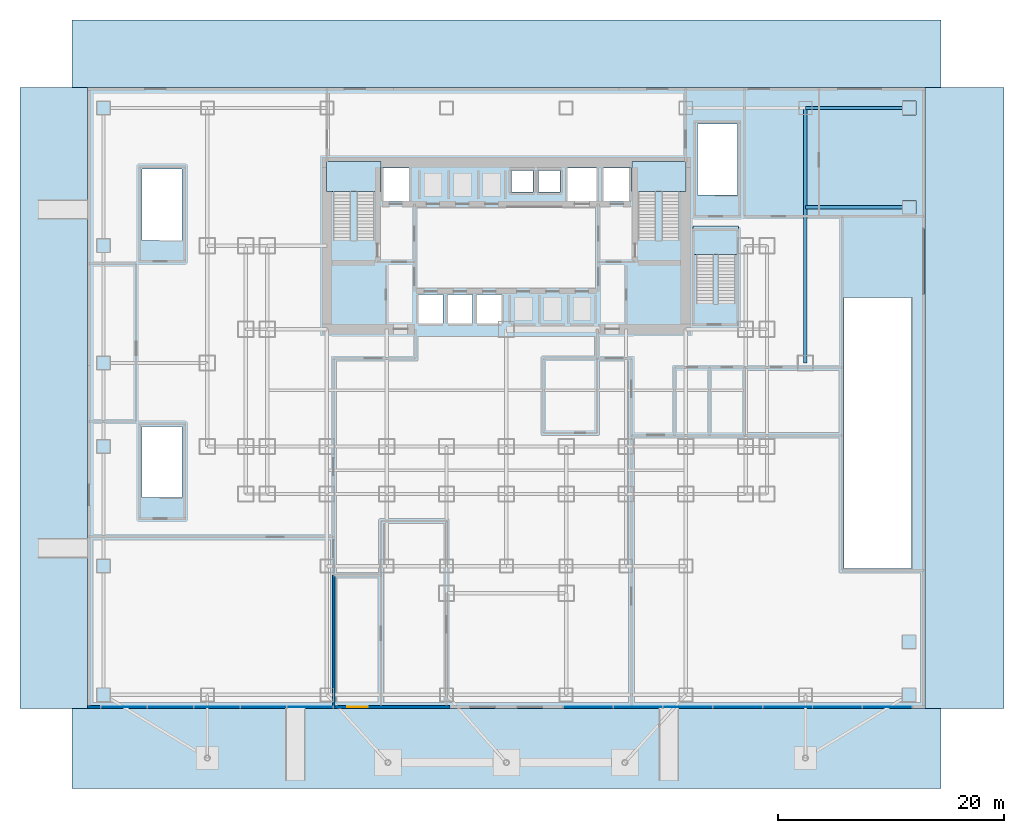
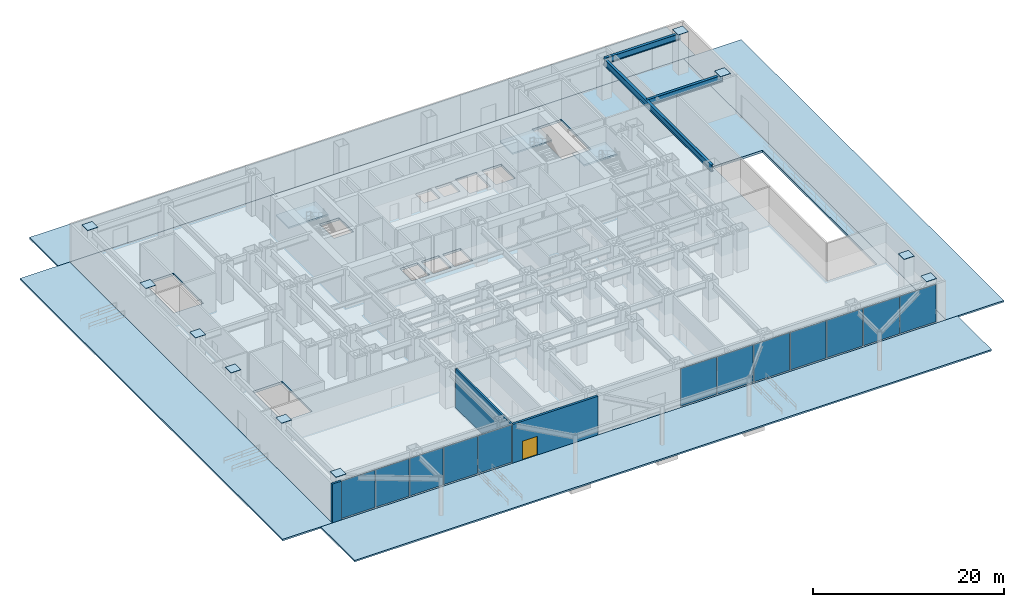
# One storey, part 9 of 18: 22 plates, 8 slabs, 3 beams, 3 walls, 1 door, 1 opening, 5 elements without a shape of their own.
"""IFC4 building model written with IfcOpenShell, lengths in metres."""

import ifcopenshell
import ifcopenshell.guid

model = None  # the IFC model being written
_history = None  # IfcOwnerHistory: only IFC2X3 demands one
_inside = {}  # id of a spatial element -> (the spatial element, [elements in it])
_under = {}  # id of a project, library or spatial element -> (it, [spatial elements below it])
_declared = {}  # id of a project -> (the project, [libraries it declares])
_typed = {}  # id of a type object -> (the type object, [elements of that type])
_made_of = {}  # id of a material, layer set ... -> (it, [elements and type objects made of it])


def new_model(schema):
    """Start an empty IFC model of exactly this schema.

    Asked for "IFC4X3", IfcOpenShell would pick the latest addendum, in which some entities
    have other attributes; the version numbers below select the first issue.
    IFC2X3 requires an IfcOwnerHistory on every rooted entity: one is made here for all.
    """
    global model, _history
    if schema == "IFC4X3":
        model = ifcopenshell.file(schema_version=(4, 3, 0, 0))
    else:
        model = ifcopenshell.file(schema=schema)
    _inside.clear()
    _under.clear()
    _declared.clear()
    _typed.clear()
    _made_of.clear()
    _history = None
    if model.schema == "IFC2X3":
        org = make("IfcOrganization", Name="unknown")
        user = make(
            "IfcPersonAndOrganization",
            ThePerson=make("IfcPerson", FamilyName="unknown"),
            TheOrganization=org,
        )
        app = make(
            "IfcApplication",
            ApplicationDeveloper=org,
            Version="unknown",
            ApplicationFullName="unknown",
            ApplicationIdentifier="unknown",
        )
        _history = make(
            "IfcOwnerHistory",
            OwningUser=user,
            OwningApplication=app,
            ChangeAction="ADDED",
            CreationDate=0,
        )
    return model


def make(cls, **values):
    """One entity of the class cls with the attributes given. An attribute that is None is left unset."""
    return model.create_entity(
        cls, **{name: value for name, value in values.items() if value is not None}
    )


def rooted(cls, **values):
    """An entity with a GlobalId (a new one), such as an element, a storey or a relation."""
    return make(cls, GlobalId=ifcopenshell.guid.new(), OwnerHistory=_history, **values)


def si_unit(unit_type, name, prefix=None):
    """IfcSIUnit, for example si_unit("LENGTHUNIT", "METRE", prefix="MILLI")."""
    return make("IfcSIUnit", UnitType=unit_type, Prefix=prefix, Name=name)


def assignment(units):
    """IfcUnitAssignment: the units of a project."""
    return None if units is None else make("IfcUnitAssignment", Units=units)


def point(xyz):
    """IfcCartesianPoint."""
    return None if xyz is None else make("IfcCartesianPoint", Coordinates=xyz)


def direction(xyz):
    """IfcDirection."""
    return None if xyz is None else make("IfcDirection", DirectionRatios=xyz)


def frame(location, z_axis=None, x_axis=None):
    """IfcAxis2Placement3D, a coordinate frame: its origin and axes. An axis left out is left unset."""
    return make(
        "IfcAxis2Placement3D",
        Location=point(location),
        Axis=direction(z_axis),
        RefDirection=direction(x_axis),
    )


def frame_2d(location, x_axis=None):
    """IfcAxis2Placement2D, a coordinate frame in the plane: its origin and x axis."""
    return make(
        "IfcAxis2Placement2D", Location=point(location), RefDirection=direction(x_axis)
    )


def origin():
    """The frame at (0, 0, 0) with its axes left unset."""
    return frame((0.0, 0.0, 0.0))


def origin_2d():
    """The frame at (0, 0) in the plane with its x axis left unset."""
    return frame_2d((0.0, 0.0))


def place(relative_to, where):
    """IfcLocalPlacement: puts the frame where relative to a parent placement (None: the world)."""
    return make(
        "IfcLocalPlacement", PlacementRelTo=relative_to, RelativePlacement=where
    )


def context(
    kind, dimensions, precision=None, world=None, true_north=None, identifier=None
):
    """IfcGeometricRepresentationContext, for example the 3D "Model" context."""
    return make(
        "IfcGeometricRepresentationContext",
        ContextIdentifier=identifier,
        ContextType=kind,
        CoordinateSpaceDimension=dimensions,
        Precision=precision,
        WorldCoordinateSystem=world,
        TrueNorth=true_north,
    )


def subcontext(parent, identifier, kind, view, scale=None):
    """IfcGeometricRepresentationSubContext, for example "Body" below "Model"."""
    return make(
        "IfcGeometricRepresentationSubContext",
        ContextIdentifier=identifier,
        ContextType=kind,
        ParentContext=parent,
        TargetScale=scale,
        TargetView=view,
    )


def project(units=None, contexts=None):
    """IfcProject with its units and contexts."""
    return rooted(
        "IfcProject",
        Name="project",
        RepresentationContexts=contexts,
        UnitsInContext=assignment(units),
    )


def spatial(cls, under=None, at=None, **own):
    """A site, building, storey or space (cls), placed at a placement, below another one or the project."""
    s = rooted(cls, ObjectPlacement=at, **own)
    if under is not None:
        _under.setdefault(under.id(), (under, []))[1].append(s)
    return s


def polyline(points):
    """IfcPolyline through the points."""
    return make("IfcPolyline", Points=[point(p) for p in points])


def profile(cls, at=None, kind="AREA", **sizes):
    """A parametric profile (cls). Its sizes go by their IFC names, for example OverallWidth=200.0."""
    return make(cls, ProfileType=kind, Position=at, **sizes)


def rectangle(**sizes):
    """IfcRectangleProfileDef."""
    return profile("IfcRectangleProfileDef", **sizes)


def i_section(**sizes):
    """IfcIShapeProfileDef."""
    return profile("IfcIShapeProfileDef", **sizes)


def outline(outer, holes=None, kind="AREA"):
    """IfcArbitraryClosedProfileDef: a profile drawn as a closed curve; with holes, ...WithVoids."""
    if holes is None:
        return make("IfcArbitraryClosedProfileDef", ProfileType=kind, OuterCurve=outer)
    return make(
        "IfcArbitraryProfileDefWithVoids",
        ProfileType=kind,
        OuterCurve=outer,
        InnerCurves=holes,
    )


def extrude(swept, where, along, depth):
    """IfcExtrudedAreaSolid: the profile swept, set in the frame where, extruded along a direction by depth."""
    return make(
        "IfcExtrudedAreaSolid",
        SweptArea=swept,
        Position=where,
        ExtrudedDirection=direction(along),
        Depth=depth,
    )


def shape(context_of_items, identifier, shape_type, items):
    """IfcShapeRepresentation: the items that make up one representation, for example the "Body"."""
    return make(
        "IfcShapeRepresentation",
        ContextOfItems=context_of_items,
        RepresentationIdentifier=identifier,
        RepresentationType=shape_type,
        Items=items,
    )


def source(mapping_origin, context_of_items, identifier, shape_type, items):
    """IfcRepresentationMap: a shape defined once, which mapped items show again and again."""
    return make(
        "IfcRepresentationMap",
        MappingOrigin=mapping_origin,
        MappedRepresentation=shape(context_of_items, identifier, shape_type, items),
    )


def transform(
    local_origin,
    x_axis=None,
    y_axis=None,
    z_axis=None,
    scale=None,
    scale2=None,
    scale3=None,
    uniform=True,
):
    """IfcCartesianTransformationOperator3D, or its non-uniform kind. x_axis, y_axis, z_axis: its Axis1, 2, 3."""
    if uniform:
        return make(
            "IfcCartesianTransformationOperator3D",
            Axis1=direction(x_axis),
            Axis2=direction(y_axis),
            LocalOrigin=point(local_origin),
            Scale=scale,
            Axis3=direction(z_axis),
        )
    return make(
        "IfcCartesianTransformationOperator3DnonUniform",
        Axis1=direction(x_axis),
        Axis2=direction(y_axis),
        LocalOrigin=point(local_origin),
        Scale=scale,
        Axis3=direction(z_axis),
        Scale2=scale2,
        Scale3=scale3,
    )


def mapped(mapping_source, mapping_target):
    """IfcMappedItem: shows the shape of a source again, moved by a transform."""
    return make(
        "IfcMappedItem", MappingSource=mapping_source, MappingTarget=mapping_target
    )


def material(Name=None, Category=None):
    """IfcMaterial."""
    return make("IfcMaterial", Name=Name, Category=Category)


def layer(
    of_material, thickness, ventilated=None, Name=None, Category=None, Priority=None
):
    """IfcMaterialLayer: one layer of a wall or slab, of a material (None: an air gap)."""
    return make(
        "IfcMaterialLayer",
        Material=of_material,
        LayerThickness=thickness,
        IsVentilated=ventilated,
        Name=Name,
        Category=Category,
        Priority=Priority,
    )


def layer_set(layers, Name=None):
    """IfcMaterialLayerSet."""
    return make("IfcMaterialLayerSet", MaterialLayers=layers, LayerSetName=Name)


def material_profile(
    of_material, cross_section, Name=None, Category=None, Priority=None
):
    """IfcMaterialProfile: a cross section and its material."""
    return make(
        "IfcMaterialProfile",
        Name=Name,
        Material=of_material,
        Profile=cross_section,
        Priority=Priority,
        Category=Category,
    )


def profile_set(profiles, Name=None, composite=None):
    """IfcMaterialProfileSet."""
    return make(
        "IfcMaterialProfileSet",
        Name=Name,
        MaterialProfiles=profiles,
        CompositeProfile=composite,
    )


def made_of(thing, what):
    """Note that an element or type object is made of a material, layer set ...; save() writes the relation."""
    if what is not None:
        _made_of.setdefault(what.id(), (what, []))[1].append(thing)
    return thing


def type_object(cls, material=None, **own):
    """A type object (cls), such as IfcWallType, which elements share."""
    return made_of(rooted(cls, **own), material)


def element(
    cls,
    number,
    at=None,
    inside=None,
    cuts=None,
    type_object=None,
    material=None,
    context=None,
    identifier="Body",
    shape_type=None,
    held_by="IfcProductDefinitionShape",
    body=None,
    shapes=None,
    **own,
):
    """One element of the class cls, such as IfcWall. Its Tag is "e" and its number.

    at: its placement. inside: the storey or other place that contains it. cuts: it is an
    opening in that element (IfcRelVoidsElement). A single representation is given by context,
    identifier, shape_type and body (its items); several are given by shapes. held_by: the class
    of the entity that holds the representations. save() writes the other relations.
    """
    e = rooted(cls, Tag="e%d" % number, ObjectPlacement=at, **own)
    if body is not None:
        shapes = [shape(context, identifier, shape_type, body)]
    if shapes is not None:
        e.Representation = make(held_by, Representations=shapes)
    if inside is not None:
        _inside.setdefault(inside.id(), (inside, []))[1].append(e)
    if cuts is not None:
        rooted(
            "IfcRelVoidsElement", RelatingBuildingElement=cuts, RelatedOpeningElement=e
        )
    if type_object is not None:
        _typed.setdefault(type_object.id(), (type_object, []))[1].append(e)
    return made_of(e, material)


def fill(opening, filler):
    """IfcRelFillsElement: the door or window that sits in an opening."""
    return rooted(
        "IfcRelFillsElement",
        RelatingOpeningElement=opening,
        RelatedBuildingElement=filler,
    )


def aggregate(whole, parts):
    """IfcRelAggregates: a whole, such as a stair, and the parts it consists of."""
    return rooted("IfcRelAggregates", RelatingObject=whole, RelatedObjects=parts)


def save(model, path):
    """Write the relations noted so far, then the file.

    IfcRelAggregates (storeys below a building ...), IfcRelContainedInSpatialStructure (elements
    in a storey), IfcRelDefinesByType, IfcRelAssociatesMaterial and IfcRelDeclares: one each for
    every whole, place, type object, material and project.
    """
    for whole, parts in _under.values():
        aggregate(whole, parts)
    for where, things in _inside.values():
        rooted(
            "IfcRelContainedInSpatialStructure",
            RelatedElements=things,
            RelatingStructure=where,
        )
    for kind, things in _typed.values():
        rooted("IfcRelDefinesByType", RelatedObjects=things, RelatingType=kind)
    for what, things in _made_of.values():
        rooted("IfcRelAssociatesMaterial", RelatedObjects=things, RelatingMaterial=what)
    for by, libraries in _declared.values():
        rooted("IfcRelDeclares", RelatingContext=by, RelatedDefinitions=libraries)
    model.write(path)


model = new_model("IFC4")

# Units and contexts
model_context = context("Model", 3, precision=1e-05, world=origin(), true_north=direction((0.0, 1.0)))
body_context = subcontext(model_context, "Body", "Model", "MODEL_VIEW")
ifc_project = project(units=[si_unit("LENGTHUNIT", "METRE"), si_unit("AREAUNIT", "SQUARE_METRE"), si_unit("VOLUMEUNIT", "CUBIC_METRE"), si_unit("PLANEANGLEUNIT", "RADIAN"), si_unit("MASSUNIT", "GRAM", prefix="KILO")], contexts=[model_context])

# Site, building, storey
site_placement = place(None, origin())
site = spatial("IfcSite", under=ifc_project, at=site_placement, CompositionType="ELEMENT")
building_placement = place(site_placement, origin())
building = spatial("IfcBuilding", under=site, at=building_placement, Name="Qianlan Lanfeng Residences", CompositionType="ELEMENT")
storey_placement = place(building_placement, origin())
storey = spatial("IfcBuildingStorey", under=building, at=storey_placement, Name="L00", CompositionType="ELEMENT", Elevation=0.0)

# Beams
ifc_material_1 = material(Name="Steel SN490B", Category="steel")
ifc_material_profile_1 = material_profile(ifc_material_1, i_section(OverallWidth=0.300048828125, OverallDepth=0.85009765625, WebThickness=0.01611328125, FlangeThickness=0.031982421875, at=origin_2d()), Name="H 850x300x16x32")
ifc_profile_set_1 = profile_set([ifc_material_profile_1], Name="Steel SN490B")
beam_type_1 = type_object("IfcBeamType", Name="G-1100", PredefinedType="BEAM", material=ifc_profile_set_1)
beam_1_placement = place(storey_placement, frame((53.0, 36.0, 4.52490234375), z_axis=(1.0, 0.0, 0.0), x_axis=(0.0, 1.0, 0.0)))
element("IfcBeam", 1, at=beam_1_placement, inside=storey, type_object=beam_type_1, Name="Structural beam G-1100", PredefinedType="BEAM", context=body_context, shape_type="SweptSolid", body=[
    extrude(i_section(OverallWidth=0.300048828125, OverallDepth=0.85009765625, WebThickness=0.01611328125, FlangeThickness=0.031982421875, at=origin_2d()), origin(), (0.0, 0.0, 1.0), 9.199951171875),
])
beam_2_placement = place(storey_placement, frame((53.0, 22.199951171875, 4.52490234375), z_axis=(0.0, 1.0, 0.0), x_axis=(-1.0, 0.0, 0.0)))
element("IfcBeam", 2, at=beam_2_placement, inside=storey, type_object=beam_type_1, Name="Structural beam G-1100", PredefinedType="BEAM", context=body_context, shape_type="SweptSolid", body=[
    extrude(i_section(OverallWidth=0.300048828125, OverallDepth=0.85009765625, WebThickness=0.01611328125, FlangeThickness=0.031982421875, at=origin_2d()), origin(), (0.0, 0.0, 1.0), 22.60009765625),
])
ifc_material_profile_2 = material_profile(ifc_material_1, i_section(OverallWidth=0.300048828125, OverallDepth=0.800048828125, WebThickness=0.01611328125, FlangeThickness=0.028076171875, at=origin_2d()), Name="H 800x300x16x28")
ifc_profile_set_2 = profile_set([ifc_material_profile_2], Name="Steel SN490B")
beam_type_2 = type_object("IfcBeamType", Name="SG-950", PredefinedType="SPANDREL", material=ifc_profile_set_2)
beam_3_placement = place(storey_placement, frame((53.0, 44.800048828125, 4.550048828125), z_axis=(1.0, 0.0, 0.0), x_axis=(0.0, 1.0, 0.0)))
element("IfcBeam", 3, at=beam_3_placement, inside=storey, type_object=beam_type_2, Name="Structural beam SG-950", PredefinedType="SPANDREL", context=body_context, shape_type="SweptSolid", body=[
    extrude(i_section(OverallWidth=0.300048828125, OverallDepth=0.800048828125, WebThickness=0.01611328125, FlangeThickness=0.028076171875, at=origin_2d()), origin(), (0.0, 0.0, 1.0), 9.199951171875),
])

# Slab
ifc_material_2 = material(Name="Concrete C49", Category="concrete")
ifc_layer_1 = layer(ifc_material_2, 0.300048828125)
ifc_layer_set_1 = layer_set([ifc_layer_1], Name="Concrete C49")
slab_type_1 = type_object("IfcSlabType", Name="S-FL-300", PredefinedType="FLOOR", material=ifc_layer_set_1)
slab_1_placement = place(storey_placement, frame((0.0, 0.0, -0.300048828125)))
element("IfcSlab", 4, at=slab_1_placement, inside=storey, type_object=slab_type_1, Name="L00 Structural Floor Slab", PredefinedType="FLOOR", context=body_context, shape_type="SweptSolid", body=[
    extrude(outline(polyline([(-10.60009765625, -8.39990234375), (63.60009765625, -8.39990234375), (63.60009765625, 46.60009765625), (-10.60009765625, 46.60009765625), (-10.60009765625, -8.39990234375)]), holes=[polyline([(-5.77001953125, 33.080078125), (-5.77001953125, 39.3798828125), (-2.22998046875, 39.3798828125), (-2.22998046875, 33.080078125), (-5.77001953125, 33.080078125)]), polyline([(43.429931640625, 37.080078125), (43.429931640625, 43.3798828125), (46.969970703125, 43.3798828125), (46.969970703125, 37.080078125), (43.429931640625, 37.080078125)]), polyline([(-5.77001953125, 10.280029296875), (-5.77001953125, 16.580078125), (-2.22998046875, 16.580078125), (-2.22998046875, 10.280029296875), (-5.77001953125, 10.280029296875)]), polyline([(15.52001953125, 36.52001953125), (15.52001953125, 39.47998046875), (17.8798828125, 39.47998046875), (17.8798828125, 36.52001953125), (15.52001953125, 36.52001953125)]), polyline([(35.1201171875, 36.52001953125), (35.1201171875, 39.47998046875), (37.47998046875, 39.47998046875), (37.47998046875, 36.52001953125), (35.1201171875, 36.52001953125)]), polyline([(31.919921875, 36.52001953125), (31.919921875, 39.47998046875), (34.47998046875, 39.47998046875), (34.47998046875, 36.52001953125), (31.919921875, 36.52001953125)]), polyline([(18.719970703125, 25.719970703125), (18.719970703125, 28.280029296875), (20.8798828125, 28.280029296875), (20.8798828125, 25.719970703125), (18.719970703125, 25.719970703125)]), polyline([(21.320068359375, 25.719970703125), (21.320068359375, 28.280029296875), (23.47998046875, 28.280029296875), (23.47998046875, 25.719970703125), (21.320068359375, 25.719970703125)]), polyline([(23.919921875, 25.719970703125), (23.919921875, 28.280029296875), (26.080078125, 28.280029296875), (26.080078125, 25.719970703125), (23.919921875, 25.719970703125)]), polyline([(26.949951171875, 37.35009765625), (26.949951171875, 39.25), (28.85009765625, 39.25), (28.85009765625, 37.35009765625), (26.949951171875, 37.35009765625)]), polyline([(29.35009765625, 37.35009765625), (29.35009765625, 39.25), (31.25, 39.25), (31.25, 37.35009765625), (29.35009765625, 37.35009765625)]), polyline([(56.39990234375, 4.0), (56.39990234375, 28.0), (62.39990234375, 28.0), (62.39990234375, 4.0), (56.39990234375, 4.0)])]), origin(), (0.0, 0.0, 1.0), 0.300048828125),
])

# Stair, slab
ifc_material_3 = material(Name="Concrete C42", Category="concrete")
stair_type_1 = type_object("IfcStairType", Name="STR-MAIN", PredefinedType="HALF_TURN_STAIR", material=ifc_material_3)
stair_1_placement = place(storey_placement, origin())
stair_1 = element("IfcStair", 5, at=stair_1_placement, inside=storey, type_object=stair_type_1, Name="L00 Exit Stair ST-1", PredefinedType="HALF_TURN_STAIR")
ifc_layer_2 = layer(ifc_material_3, 0.179931640625)
ifc_layer_set_2 = layer_set([ifc_layer_2], Name="Concrete C42")
slab_type_2 = type_object("IfcSlabType", Name="S-LND-180", PredefinedType="LANDING", material=ifc_layer_set_2)
slab_2_placement = place(storey_placement, frame((0.0, 0.0, 2.39990234375)))
slab_2 = element("IfcSlab", 6, at=slab_2_placement, type_object=slab_type_2, Name="ST-1 landing 1", PredefinedType="LANDING", context=body_context, shape_type="SweptSolid", body=[
    extrude(outline(polyline([(10.580078125, 37.39990234375), (15.3798828125, 37.39990234375), (15.3798828125, 40.050048828125), (10.580078125, 40.050048828125), (10.580078125, 37.39990234375)])), origin(), (0.0, 0.0, 1.0), 0.2001953125),
])
aggregate(stair_1, [slab_2])

stair_2_placement = place(storey_placement, origin())
stair_2 = element("IfcStair", 7, at=stair_2_placement, inside=storey, type_object=stair_type_1, Name="L00 Exit Stair ST-2", PredefinedType="HALF_TURN_STAIR")
slab_3_placement = place(storey_placement, frame((0.0, 0.0, 2.39990234375)))
slab_3 = element("IfcSlab", 8, at=slab_3_placement, type_object=slab_type_2, Name="ST-2 landing 1", PredefinedType="LANDING", context=body_context, shape_type="SweptSolid", body=[
    extrude(outline(polyline([(37.6201171875, 37.39990234375), (42.419921875, 37.39990234375), (42.419921875, 40.050048828125), (37.6201171875, 40.050048828125), (37.6201171875, 37.39990234375)])), origin(), (0.0, 0.0, 1.0), 0.2001953125),
])
aggregate(stair_2, [slab_3])

stair_type_2 = type_object("IfcStairType", Name="STR-POD", PredefinedType="HALF_TURN_STAIR", material=ifc_material_3)
stair_3_placement = place(storey_placement, origin())
stair_3 = element("IfcStair", 9, at=stair_3_placement, inside=storey, type_object=stair_type_2, Name="L00 Exit Stair ST-P1", PredefinedType="HALF_TURN_STAIR")
slab_4_placement = place(storey_placement, frame((0.0, 0.0, 2.39990234375)))
slab_4 = element("IfcSlab", 10, at=slab_4_placement, type_object=slab_type_2, Name="ST-P1 landing 1", PredefinedType="LANDING", context=body_context, shape_type="SweptSolid", body=[
    extrude(outline(polyline([(43.06005859375, 31.800048828125), (47.06005859375, 31.800048828125), (47.06005859375, 34.330078125), (43.06005859375, 34.330078125), (43.06005859375, 31.800048828125)])), origin(), (0.0, 0.0, 1.0), 0.2001953125),
])
aggregate(stair_3, [slab_4])

# Slabs
ifc_layer_3 = layer(ifc_material_3, 0.199951171875)
ifc_layer_set_3 = layer_set([ifc_layer_3], Name="Concrete C42")
slab_type_3 = type_object("IfcSlabType", Name="S-PAV-200", PredefinedType="BASESLAB", material=ifc_layer_set_3)
slab_5_placement = place(storey_placement, frame((0.0, 0.0, -0.199951171875)))
element("IfcSlab", 11, at=slab_5_placement, inside=storey, type_object=slab_type_3, Name="South Harbour Entrance Plaza Paving", PredefinedType="BASESLAB", context=body_context, shape_type="SweptSolid", body=[
    extrude(outline(polyline([(-12.0, -15.5), (65.0, -15.5), (65.0, -8.39990234375), (-12.0, -8.39990234375), (-12.0, -15.5)])), origin(), (0.0, 0.0, 1.0), 0.199951171875),
])
slab_6_placement = place(storey_placement, frame((0.0, 0.0, -0.199951171875)))
element("IfcSlab", 12, at=slab_6_placement, inside=storey, type_object=slab_type_3, Name="North Service and Exit Apron Paving", PredefinedType="BASESLAB", context=body_context, shape_type="SweptSolid", body=[
    extrude(outline(polyline([(-12.0, 46.60009765625), (65.0, 46.60009765625), (65.0, 52.60009765625), (-12.0, 52.60009765625), (-12.0, 46.60009765625)])), origin(), (0.0, 0.0, 1.0), 0.199951171875),
])
slab_7_placement = place(storey_placement, frame((0.0, 0.0, -0.199951171875)))
element("IfcSlab", 13, at=slab_7_placement, inside=storey, type_object=slab_type_3, Name="East Car Park Ramp Driveway Apron Paving", PredefinedType="BASESLAB", context=body_context, shape_type="SweptSolid", body=[
    extrude(outline(polyline([(63.60009765625, -8.39990234375), (70.60009765625, -8.39990234375), (70.60009765625, 46.60009765625), (63.60009765625, 46.60009765625), (63.60009765625, -8.39990234375)])), origin(), (0.0, 0.0, 1.0), 0.199951171875),
])
slab_8_placement = place(storey_placement, frame((0.0, 0.0, -0.199951171875)))
element("IfcSlab", 14, at=slab_8_placement, inside=storey, type_object=slab_type_3, Name="West Pedestrian Promenade Paving", PredefinedType="BASESLAB", context=body_context, shape_type="SweptSolid", body=[
    extrude(outline(polyline([(-16.60009765625, -8.39990234375), (-10.60009765625, -8.39990234375), (-10.60009765625, 46.60009765625), (-16.60009765625, 46.60009765625), (-16.60009765625, -8.39990234375)])), origin(), (0.0, 0.0, 1.0), 0.199951171875),
])

# Plates
ifc_material_4 = material(Name="Steel SM570 (420 MPa)", Category="steel")
ifc_layer_4 = layer(ifc_material_4, 0.0400390625)
ifc_layer_set_4 = layer_set([ifc_layer_4], Name="Steel SM570 (420 MPa)")
plate_type_1 = type_object("IfcPlateType", Name="PL-CAP-40", PredefinedType="USERDEFINED", material=ifc_layer_set_4)
shared_shape_1 = source(origin(), body_context, "Body", "SweptSolid", [
    extrude(rectangle(XDim=1.219970703125, YDim=1.219970703125, at=origin_2d()), origin(), (0.0, 0.0, 1.0), 0.0400390625),
])
for number, where, z_axis, x_axis, name in (
    (15, (-9.199951171875, -7.199951171875, 5.159912109375), (0.0, 0.0, 1.0), (1.0, 0.0, 0.0), "L00 Box Column Top Closure Cap Plate P_-9.2_-7.2"),
    (16, (62.199951171875, -7.199951171875, 5.159912109375), (0.0, 0.0, 1.0), (1.0, 0.0, 0.0), "L00 Box Column Top Closure Cap Plate P_+62.2_-7.2"),
    (17, (-9.199951171875, 4.199951171875, 5.159912109375), (0.0, 0.0, 1.0), (1.0, 0.0, 0.0), "L00 Box Column Top Closure Cap Plate P_-9.2_+4.2"),
    (18, (-9.199951171875, 14.800048828125, 5.159912109375), (0.0, 0.0, 1.0), (1.0, 0.0, 0.0), "L00 Box Column Top Closure Cap Plate P_-9.2_+14.8"),
    (19, (-9.199951171875, 22.199951171875, 5.159912109375), (0.0, 0.0, 1.0), (1.0, 0.0, 0.0), "L00 Box Column Top Closure Cap Plate P_-9.2_+22.2"),
    (20, (-9.199951171875, 32.60009765625, 5.159912109375), (0.0, 0.0, 1.0), (1.0, 0.0, 0.0), "L00 Box Column Top Closure Cap Plate P_-9.2_+32.6"),
    (21, (-9.199951171875, 44.800048828125, 5.159912109375), (0.0, 0.0, 1.0), (1.0, 0.0, 0.0), "L00 Box Column Top Closure Cap Plate P_-9.2_+44.8"),
    (22, (62.199951171875, 44.800048828125, 5.159912109375), (0.0, 0.0, 1.0), (1.0, 0.0, 0.0), "L00 Box Column Top Closure Cap Plate P_+62.2_+44.8"),
    (23, (62.199951171875, -2.5, 5.159912109375), (0.0, 0.0, 1.0), (1.0, 0.0, 0.0), "L00 Box Column Top Closure Cap Plate P_+62.2_-2.5"),
    (24, (62.199951171875, 36.0, 5.159912109375), (0.0, 0.0, 1.0), (1.0, 0.0, 0.0), "L00 Box Column Top Closure Cap Plate P_+62.2_+36.0"),
):
    element("IfcPlate", number, at=place(storey_placement, frame(where, z_axis=z_axis, x_axis=x_axis)), inside=storey, type_object=plate_type_1, Name=name, ObjectType="SPLICE_PLATE", PredefinedType="USERDEFINED", context=body_context, shape_type="MappedRepresentation", body=[
        mapped(shared_shape_1, transform((0.0, 0.0, 0.0), scale=1.0)),
    ])

# Curtain wall, plates
ifc_material_5 = material(Name="Anodised Bronze Aluminium 6063-T6", Category="aluminium")
ifc_layer_5 = layer(ifc_material_5, 0.219970703125)
ifc_layer_set_5 = layer_set([ifc_layer_5], Name="Anodised Bronze Aluminium 6063-T6")
curtain_wall_type = type_object("IfcCurtainWallType", Name="CW-01", PredefinedType="NOTDEFINED", material=ifc_layer_set_5)
curtain_wall_1_placement = place(storey_placement, origin())
curtain_wall_1 = element("IfcCurtainWall", 25, at=curtain_wall_1_placement, inside=storey, type_object=curtain_wall_type, Name="L00 Unitised Curtain Wall CWR-L00-SW (CW-01)", PredefinedType="NOTDEFINED")
ifc_material_6 = material(Name="Clear Low-E Insulated Glass", Category="glass")
ifc_layer_6 = layer(ifc_material_6, 0.035888671875)
ifc_layer_set_6 = layer_set([ifc_layer_6], Name="Clear Low-E Insulated Glass")
plate_type_2 = type_object("IfcPlateType", Name="PNL-GLZ-CLR", PredefinedType="CURTAIN_PANEL", material=ifc_layer_set_6)
shared_shape_2 = source(origin(), body_context, "Body", "SweptSolid", [
    extrude(rectangle(XDim=4.0458984375, YDim=0.035888671875, at=origin_2d()), origin(), (0.0, 0.0, 1.0), 4.7919921875),
])
plate_1_placement = place(storey_placement, frame((-7.39794921875, -8.27001953125, 0.0791015625), z_axis=(0.0, 0.0, 1.0), x_axis=(1.0, 0.0, 0.0)))
plate_1 = element("IfcPlate", 26, at=plate_1_placement, type_object=plate_type_2, Name="CWR-L00-SW Curtain Panel 1", PredefinedType="CURTAIN_PANEL", context=body_context, shape_type="MappedRepresentation", body=[
    mapped(shared_shape_2, transform((0.0, 0.0, 0.0), scale=1.0)),
])
plate_2_placement = place(storey_placement, frame((-3.27392578125, -8.27001953125, 0.0791015625), z_axis=(0.0, 0.0, 1.0), x_axis=(1.0, 0.0, 0.0)))
plate_2 = element("IfcPlate", 27, at=plate_2_placement, type_object=plate_type_2, Name="CWR-L00-SW Curtain Panel 2", PredefinedType="CURTAIN_PANEL", context=body_context, shape_type="MappedRepresentation", body=[
    mapped(shared_shape_2, transform((0.0, 0.0, 0.0), scale=1.0)),
])
plate_3_placement = place(storey_placement, frame((0.85009765625, -8.27001953125, 0.0791015625), z_axis=(0.0, 0.0, 1.0), x_axis=(1.0, 0.0, 0.0)))
plate_3 = element("IfcPlate", 28, at=plate_3_placement, type_object=plate_type_2, Name="CWR-L00-SW Curtain Panel 3", PredefinedType="CURTAIN_PANEL", context=body_context, shape_type="MappedRepresentation", body=[
    mapped(shared_shape_2, transform((0.0, 0.0, 0.0), scale=1.0)),
])
plate_4_placement = place(storey_placement, frame((4.97412109375, -8.27001953125, 0.0791015625), z_axis=(0.0, 0.0, 1.0), x_axis=(1.0, 0.0, 0.0)))
plate_4 = element("IfcPlate", 29, at=plate_4_placement, type_object=plate_type_2, Name="CWR-L00-SW Curtain Panel 4", PredefinedType="CURTAIN_PANEL", context=body_context, shape_type="MappedRepresentation", body=[
    mapped(shared_shape_2, transform((0.0, 0.0, 0.0), scale=1.0)),
])
plate_5_placement = place(storey_placement, frame((9.097900390625, -8.27001953125, 0.0791015625), z_axis=(0.0, 0.0, 1.0), x_axis=(1.0, 0.0, 0.0)))
plate_5 = element("IfcPlate", 30, at=plate_5_placement, type_object=plate_type_2, Name="CWR-L00-SW Curtain Panel 5", PredefinedType="CURTAIN_PANEL", context=body_context, shape_type="MappedRepresentation", body=[
    mapped(shared_shape_2, transform((0.0, 0.0, 0.0), scale=1.0)),
])
aggregate(curtain_wall_1, [plate_1, plate_2, plate_3, plate_4, plate_5])

curtain_wall_2_placement = place(storey_placement, origin())
curtain_wall_2 = element("IfcCurtainWall", 31, at=curtain_wall_2_placement, inside=storey, type_object=curtain_wall_type, Name="L00 Unitised Curtain Wall CWR-L00-SE (CW-01)", PredefinedType="NOTDEFINED")
shared_shape_3 = source(origin(), body_context, "Body", "SweptSolid", [
    extrude(rectangle(XDim=4.339111328125, YDim=0.035888671875, at=origin_2d()), origin(), (0.0, 0.0, 1.0), 4.7919921875),
])
plate_6_placement = place(storey_placement, frame((33.74853515625, -8.27001953125, 0.0791015625), z_axis=(0.0, 0.0, 1.0), x_axis=(1.0, 0.0, 0.0)))
plate_6 = element("IfcPlate", 32, at=plate_6_placement, type_object=plate_type_2, Name="CWR-L00-SE Curtain Panel 1", PredefinedType="CURTAIN_PANEL", context=body_context, shape_type="MappedRepresentation", body=[
    mapped(shared_shape_3, transform((0.0, 0.0, 0.0), scale=1.0)),
])
plate_7_placement = place(storey_placement, frame((38.165771484375, -8.27001953125, 0.0791015625), z_axis=(0.0, 0.0, 1.0), x_axis=(1.0, 0.0, 0.0)))
plate_7 = element("IfcPlate", 33, at=plate_7_placement, type_object=plate_type_2, Name="CWR-L00-SE Curtain Panel 2", PredefinedType="CURTAIN_PANEL", context=body_context, shape_type="MappedRepresentation", body=[
    mapped(shared_shape_3, transform((0.0, 0.0, 0.0), scale=1.0)),
])
plate_8_placement = place(storey_placement, frame((42.5830078125, -8.27001953125, 0.0791015625), z_axis=(0.0, 0.0, 1.0), x_axis=(1.0, 0.0, 0.0)))
plate_8 = element("IfcPlate", 34, at=plate_8_placement, type_object=plate_type_2, Name="CWR-L00-SE Curtain Panel 3", PredefinedType="CURTAIN_PANEL", context=body_context, shape_type="MappedRepresentation", body=[
    mapped(shared_shape_3, transform((0.0, 0.0, 0.0), scale=1.0)),
])
plate_9_placement = place(storey_placement, frame((47.0, -8.27001953125, 0.0791015625), z_axis=(0.0, 0.0, 1.0), x_axis=(1.0, 0.0, 0.0)))
plate_9 = element("IfcPlate", 35, at=plate_9_placement, type_object=plate_type_2, Name="CWR-L00-SE Curtain Panel 4", PredefinedType="CURTAIN_PANEL", context=body_context, shape_type="MappedRepresentation", body=[
    mapped(shared_shape_3, transform((0.0, 0.0, 0.0), scale=1.0)),
])
plate_10_placement = place(storey_placement, frame((51.4169921875, -8.27001953125, 0.0791015625), z_axis=(0.0, 0.0, 1.0), x_axis=(1.0, 0.0, 0.0)))
plate_10 = element("IfcPlate", 36, at=plate_10_placement, type_object=plate_type_2, Name="CWR-L00-SE Curtain Panel 5", PredefinedType="CURTAIN_PANEL", context=body_context, shape_type="MappedRepresentation", body=[
    mapped(shared_shape_3, transform((0.0, 0.0, 0.0), scale=1.0)),
])
plate_11_placement = place(storey_placement, frame((55.834228515625, -8.27001953125, 0.0791015625), z_axis=(0.0, 0.0, 1.0), x_axis=(1.0, 0.0, 0.0)))
plate_11 = element("IfcPlate", 37, at=plate_11_placement, type_object=plate_type_2, Name="CWR-L00-SE Curtain Panel 6", PredefinedType="CURTAIN_PANEL", context=body_context, shape_type="MappedRepresentation", body=[
    mapped(shared_shape_3, transform((0.0, 0.0, 0.0), scale=1.0)),
])
plate_12_placement = place(storey_placement, frame((60.25146484375, -8.27001953125, 0.0791015625), z_axis=(0.0, 0.0, 1.0), x_axis=(1.0, 0.0, 0.0)))
plate_12 = element("IfcPlate", 38, at=plate_12_placement, type_object=plate_type_2, Name="CWR-L00-SE Curtain Panel 7", PredefinedType="CURTAIN_PANEL", context=body_context, shape_type="MappedRepresentation", body=[
    mapped(shared_shape_3, transform((0.0, 0.0, 0.0), scale=1.0)),
])
aggregate(curtain_wall_2, [plate_6, plate_7, plate_8, plate_9, plate_10, plate_11, plate_12])

# Wall
ifc_layer_7 = layer(ifc_material_3, 0.260009765625)
ifc_layer_set_7 = layer_set([ifc_layer_7], Name="Concrete C42")
wall_type_1 = type_object("IfcWallType", Name="EW-260", PredefinedType="SOLIDWALL", material=ifc_layer_set_7)
wall_1_placement = place(storey_placement, frame((-10.60009765625, -8.27001953125, 0.0), z_axis=(0.0, 0.0, 1.0), x_axis=(1.0, 0.0, 0.0)))
element("IfcWall", 39, at=wall_1_placement, inside=storey, type_object=wall_type_1, Name="L00 SW Corner Spandrel Wall", PredefinedType="SOLIDWALL", context=body_context, shape_type="SweptSolid", body=[
    extrude(rectangle(XDim=1.10009765625, YDim=0.260009765625, at=frame_2d((0.550048828125, 0.0))), origin(), (0.0, 0.0, 1.0), 4.949951171875),
])

# Wall, opening, door
wall_2_placement = place(storey_placement, frame((11.199951171875, -8.27001953125, 0.0), z_axis=(0.0, 0.0, 1.0), x_axis=(1.0, 0.0, 0.0)))
wall_2 = element("IfcWall", 40, at=wall_2_placement, inside=storey, type_object=wall_type_1, Name="L00 Fire Command Centre Exterior Wall", PredefinedType="SOLIDWALL", context=body_context, shape_type="SweptSolid", body=[
    extrude(rectangle(XDim=10.300048828125, YDim=0.260009765625, at=frame_2d((5.14990234375, 0.0))), origin(), (0.0, 0.0, 1.0), 4.949951171875),
])
opening_placement = place(wall_2_placement, frame((1.199951171875, 0.0, 0.0)))
opening = element("IfcOpeningElement", 41, at=opening_placement, cuts=wall_2, Name="Opening L00-D-EX01", PredefinedType="OPENING", context=body_context, shape_type="SweptSolid", body=[
    extrude(rectangle(XDim=1.800048828125, YDim=2.39990234375, at=frame_2d((0.89990234375, 1.199951171875))), frame((0.0, 0.14013671875, 0.0), z_axis=(0.0, -1.0, 0.0), x_axis=(1.0, 0.0, 0.0)), (0.0, 0.0, 1.0), 0.280029296875),
])
ifc_material_7 = material(Name="Anodised Bronze Aluminium Framed Glass", Category="aluminium")
door_type = type_object("IfcDoorType", Name="DT-EX1", OperationType="NOTDEFINED", PredefinedType="DOOR", material=ifc_material_7)
door_placement = place(opening_placement, frame((1.800048828125, 0.0, 0.0), z_axis=(0.0, 0.0, 1.0), x_axis=(-1.0, 0.0, 0.0)))
door = element("IfcDoor", 42, at=door_placement, inside=storey, type_object=door_type, Name="L00 Exterior Door L00-D-EX01", OperationType="DOUBLE_DOOR_SINGLE_SWING", OverallHeight=2.39990234375, OverallWidth=1.800048828125, PredefinedType="DOOR", context=body_context, shape_type="SweptSolid", body=[
    extrude(rectangle(XDim=1.800048828125, YDim=2.39990234375, at=frame_2d((0.89990234375, 1.199951171875))), frame((0.0, 0.02490234375, 0.0), z_axis=(0.0, -1.0, 0.0), x_axis=(1.0, 0.0, 0.0)), (0.0, 0.0, 1.0), 0.050048828125),
])
fill(opening, door)

# Wall
ifc_material_8 = material(Name="Autoclaved Aerated Concrete Blockwork 200 mm", Category="masonry")
ifc_layer_8 = layer(ifc_material_8, 0.199951171875)
ifc_layer_set_8 = layer_set([ifc_layer_8], Name="Autoclaved Aerated Concrete Blockwork 200 mm")
wall_type_2 = type_object("IfcWallType", Name="PW-200", PredefinedType="PARTITIONING", material=ifc_layer_set_8)
wall_3_placement = place(storey_placement, frame((11.199951171875, -8.27001953125, 0.0), z_axis=(0.0, 0.0, 1.0), x_axis=(0.0, 1.0, 0.0)))
element("IfcWall", 43, at=wall_3_placement, inside=storey, type_object=wall_type_2, Name="L00 Fire Command Centre West Wall", PredefinedType="PARTITIONING", context=body_context, shape_type="SweptSolid", body=[
    extrude(rectangle(XDim=11.669921875, YDim=0.199951171875, at=frame_2d((5.8349609375, 0.0))), origin(), (0.0, 0.0, 1.0), 4.949951171875),
])

save(model, "model.ifc")
